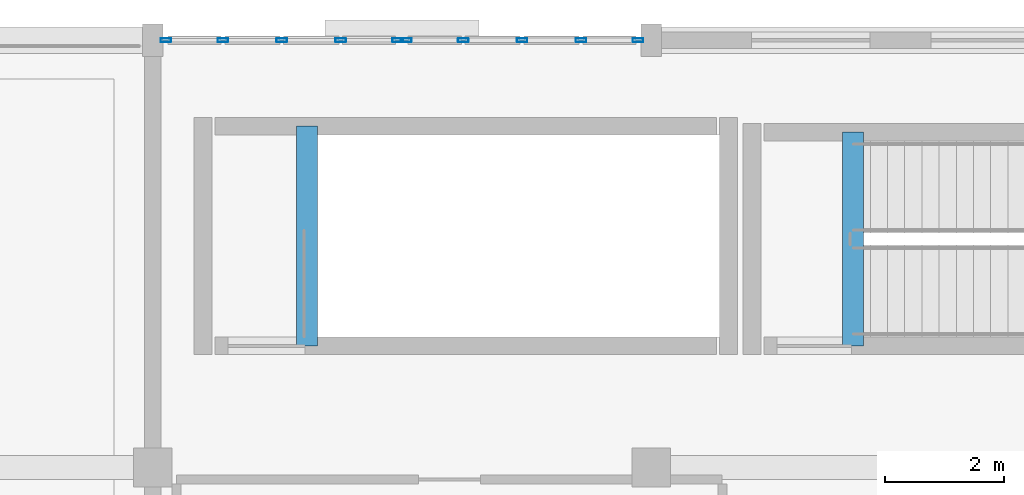
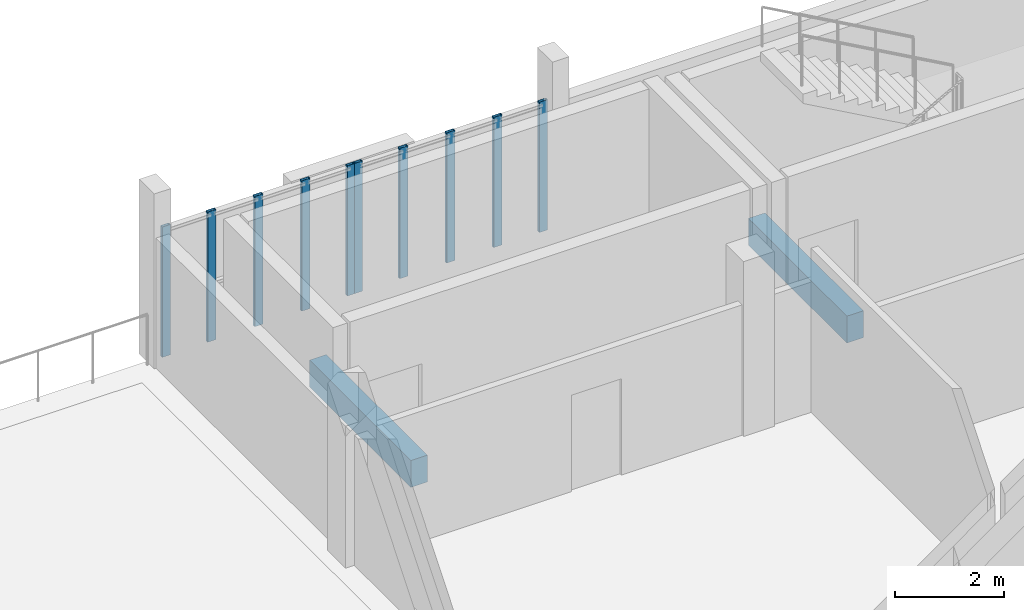
# One storey, part 2 of 25: 10 members, 2 beams, 2 elements without a shape of their own.
"""IFC4 building model written with IfcOpenShell, lengths in metres."""

from ifc_helpers import new_model, si_unit, direction, frame, origin, origin_2d, place, context, subcontext, project, spatial, rectangle, hollow_rectangle, extrude, material, layer, layer_set, material_profile, profile_set, type_object, element, aggregate, save


model = new_model("IFC4")

# Units and contexts
model_context = context("Model", 3, precision=1e-05, world=origin(), true_north=direction((0.0, 1.0)))
body_context = subcontext(model_context, "Body", "Model", "MODEL_VIEW")
ifc_project = project(units=[si_unit("LENGTHUNIT", "METRE"), si_unit("AREAUNIT", "SQUARE_METRE"), si_unit("VOLUMEUNIT", "CUBIC_METRE"), si_unit("PLANEANGLEUNIT", "RADIAN"), si_unit("MASSUNIT", "GRAM", prefix="KILO")], contexts=[model_context])

# Site, building, storey
site_placement = place(None, origin())
site = spatial("IfcSite", under=ifc_project, at=site_placement, CompositionType="ELEMENT")
building_placement = place(site_placement, origin())
building = spatial("IfcBuilding", under=site, at=building_placement, Name="Kisaragi Civic Commons", CompositionType="ELEMENT")
storey_placement = place(building_placement, frame((0.0, 0.0, 13.5)))
storey = spatial("IfcBuildingStorey", under=building, at=storey_placement, Name="L03", CompositionType="ELEMENT", Elevation=13.5)

# Curtain wall, members
ifc_material_1 = material(Name="Thermally broken anodized aluminium and low-E double glazing", Category="aluminium")
ifc_layer = layer(ifc_material_1, 0.179931640625, Name="Thermally broken anodized aluminium and low-E double glazing", Category="aluminium")
ifc_layer_set = layer_set([ifc_layer], Name="Thermally broken anodized aluminium and low-E double glazing")
curtain_wall_type = type_object("IfcCurtainWallType", Name="CW-01", PredefinedType="NOTDEFINED", material=ifc_layer_set)
curtain_wall_1_placement = place(storey_placement, origin())
curtain_wall_1 = element("IfcCurtainWall", 1, at=curtain_wall_1_placement, inside=storey, type_object=curtain_wall_type, Name="L03 curtain wall CW-01 CW-V4-L03-095", PredefinedType="NOTDEFINED")
ifc_material_profile_1 = material_profile(ifc_material_1, hollow_rectangle(XDim=0.06494140625, YDim=0.179931640625, WallThickness=0.00439453125, InnerFilletRadius=0.00439453125, OuterFilletRadius=0.009033203125, at=origin_2d()), Name="CWM-65x180x4.5", Category="aluminium")
ifc_profile_set_1 = profile_set([ifc_material_profile_1], Name="Thermally broken anodized aluminium and low-E double glazing")
member_type = type_object("IfcMemberType", Name="CWM-02", PredefinedType="MULLION", material=ifc_profile_set_1)
member_1_placement = place(storey_placement, frame((89.0224609375, 118.800048828125, 0.0), z_axis=(0.0, 0.0, 1.0), x_axis=(0.0, 1.0, 0.0)))
member_1 = element("IfcMember", 2, at=member_1_placement, type_object=member_type, Name="CW-01 mullion 1", PredefinedType="MULLION", context=body_context, shape_type="SweptSolid", body=[
    extrude(hollow_rectangle(XDim=0.06494140625, YDim=0.179931640625, WallThickness=0.00439453125, InnerFilletRadius=0.00439453125, OuterFilletRadius=0.009033203125, at=origin_2d()), origin(), (0.0, 0.0, 1.0), 2.905029296875),
])
member_2_placement = place(storey_placement, frame((89.982421875, 118.800048828125, 0.0), z_axis=(0.0, 0.0, 1.0), x_axis=(0.0, 1.0, 0.0)))
member_2 = element("IfcMember", 3, at=member_2_placement, type_object=member_type, Name="CW-01 mullion 2", PredefinedType="MULLION", context=body_context, shape_type="SweptSolid", body=[
    extrude(hollow_rectangle(XDim=0.06494140625, YDim=0.179931640625, WallThickness=0.00439453125, InnerFilletRadius=0.00439453125, OuterFilletRadius=0.009033203125, at=origin_2d()), origin(), (0.0, 0.0, 1.0), 2.905029296875),
])
member_3_placement = place(storey_placement, frame((90.97509765625, 118.800048828125, 0.0), z_axis=(0.0, 0.0, 1.0), x_axis=(0.0, 1.0, 0.0)))
member_3 = element("IfcMember", 4, at=member_3_placement, type_object=member_type, Name="CW-01 mullion 3", PredefinedType="MULLION", context=body_context, shape_type="SweptSolid", body=[
    extrude(hollow_rectangle(XDim=0.06494140625, YDim=0.179931640625, WallThickness=0.00439453125, InnerFilletRadius=0.00439453125, OuterFilletRadius=0.009033203125, at=origin_2d()), origin(), (0.0, 0.0, 1.0), 2.905029296875),
])
member_4_placement = place(storey_placement, frame((91.967529296875, 118.800048828125, 0.0), z_axis=(0.0, 0.0, 1.0), x_axis=(0.0, 1.0, 0.0)))
member_4 = element("IfcMember", 5, at=member_4_placement, type_object=member_type, Name="CW-01 mullion 4", PredefinedType="MULLION", context=body_context, shape_type="SweptSolid", body=[
    extrude(hollow_rectangle(XDim=0.06494140625, YDim=0.179931640625, WallThickness=0.00439453125, InnerFilletRadius=0.00439453125, OuterFilletRadius=0.009033203125, at=origin_2d()), origin(), (0.0, 0.0, 1.0), 2.905029296875),
])
member_5_placement = place(storey_placement, frame((92.927490234375, 118.800048828125, 0.0), z_axis=(0.0, 0.0, 1.0), x_axis=(0.0, 1.0, 0.0)))
member_5 = element("IfcMember", 6, at=member_5_placement, type_object=member_type, Name="CW-01 mullion 5", PredefinedType="MULLION", context=body_context, shape_type="SweptSolid", body=[
    extrude(hollow_rectangle(XDim=0.06494140625, YDim=0.179931640625, WallThickness=0.00439453125, InnerFilletRadius=0.00439453125, OuterFilletRadius=0.009033203125, at=origin_2d()), origin(), (0.0, 0.0, 1.0), 2.905029296875),
])
aggregate(curtain_wall_1, [member_1, member_2, member_3, member_4, member_5])

curtain_wall_2_placement = place(storey_placement, origin())
curtain_wall_2 = element("IfcCurtainWall", 7, at=curtain_wall_2_placement, inside=storey, type_object=curtain_wall_type, Name="L03 curtain wall CW-01 CW-V4-L03-096", PredefinedType="NOTDEFINED")
member_6_placement = place(storey_placement, frame((93.072509765625, 118.800048828125, 0.0), z_axis=(0.0, 0.0, 1.0), x_axis=(0.0, 1.0, 0.0)))
member_6 = element("IfcMember", 8, at=member_6_placement, type_object=member_type, Name="CW-01 mullion 1", PredefinedType="MULLION", context=body_context, shape_type="SweptSolid", body=[
    extrude(hollow_rectangle(XDim=0.06494140625, YDim=0.179931640625, WallThickness=0.00439453125, InnerFilletRadius=0.00439453125, OuterFilletRadius=0.009033203125, at=origin_2d()), origin(), (0.0, 0.0, 1.0), 2.905029296875),
])
member_7_placement = place(storey_placement, frame((94.032470703125, 118.800048828125, 0.0), z_axis=(0.0, 0.0, 1.0), x_axis=(0.0, 1.0, 0.0)))
member_7 = element("IfcMember", 9, at=member_7_placement, type_object=member_type, Name="CW-01 mullion 2", PredefinedType="MULLION", context=body_context, shape_type="SweptSolid", body=[
    extrude(hollow_rectangle(XDim=0.06494140625, YDim=0.179931640625, WallThickness=0.00439453125, InnerFilletRadius=0.00439453125, OuterFilletRadius=0.009033203125, at=origin_2d()), origin(), (0.0, 0.0, 1.0), 2.905029296875),
])
member_8_placement = place(storey_placement, frame((95.02490234375, 118.800048828125, 0.0), z_axis=(0.0, 0.0, 1.0), x_axis=(0.0, 1.0, 0.0)))
member_8 = element("IfcMember", 10, at=member_8_placement, type_object=member_type, Name="CW-01 mullion 3", PredefinedType="MULLION", context=body_context, shape_type="SweptSolid", body=[
    extrude(hollow_rectangle(XDim=0.06494140625, YDim=0.179931640625, WallThickness=0.00439453125, InnerFilletRadius=0.00439453125, OuterFilletRadius=0.009033203125, at=origin_2d()), origin(), (0.0, 0.0, 1.0), 2.905029296875),
])
member_9_placement = place(storey_placement, frame((96.017578125, 118.800048828125, 0.0), z_axis=(0.0, 0.0, 1.0), x_axis=(0.0, 1.0, 0.0)))
member_9 = element("IfcMember", 11, at=member_9_placement, type_object=member_type, Name="CW-01 mullion 4", PredefinedType="MULLION", context=body_context, shape_type="SweptSolid", body=[
    extrude(hollow_rectangle(XDim=0.06494140625, YDim=0.179931640625, WallThickness=0.00439453125, InnerFilletRadius=0.00439453125, OuterFilletRadius=0.009033203125, at=origin_2d()), origin(), (0.0, 0.0, 1.0), 2.905029296875),
])
member_10_placement = place(storey_placement, frame((96.9775390625, 118.800048828125, 0.0), z_axis=(0.0, 0.0, 1.0), x_axis=(0.0, 1.0, 0.0)))
member_10 = element("IfcMember", 12, at=member_10_placement, type_object=member_type, Name="CW-01 mullion 5", PredefinedType="MULLION", context=body_context, shape_type="SweptSolid", body=[
    extrude(hollow_rectangle(XDim=0.06494140625, YDim=0.179931640625, WallThickness=0.00439453125, InnerFilletRadius=0.00439453125, OuterFilletRadius=0.009033203125, at=origin_2d()), origin(), (0.0, 0.0, 1.0), 2.905029296875),
])
aggregate(curtain_wall_2, [member_6, member_7, member_8, member_9, member_10])

# Beams
ifc_material_2 = material(Name="Concrete Fc30", Category="concrete")
ifc_material_profile_2 = material_profile(ifc_material_2, rectangle(XDim=0.35009765625, YDim=0.60009765625, at=origin_2d()), Name="RC-350x600", Category="concrete")
ifc_profile_set_2 = profile_set([ifc_material_profile_2], Name="Concrete Fc30")
beam_type = type_object("IfcBeamType", Name="G-14", PredefinedType="BEAM", material=ifc_profile_set_2)
beam_1_placement = place(storey_placement, frame((100.60009765625, 113.64990234375, -0.300048828125), z_axis=(0.0, 1.0, 0.0), x_axis=(-1.0, 0.0, 0.0)))
element("IfcBeam", 13, at=beam_1_placement, inside=storey, type_object=beam_type, Name="ST-L1 L03 stair landing trimmer beam", PredefinedType="BEAM", context=body_context, shape_type="SweptSolid", body=[
    extrude(rectangle(XDim=0.35009765625, YDim=0.60009765625, at=origin_2d()), origin(), (0.0, 0.0, 1.0), 3.60009765625),
])
beam_2_placement = place(storey_placement, frame((91.39990234375, 113.64990234375, -0.300048828125), z_axis=(0.0, 1.0, 0.0), x_axis=(-1.0, 0.0, 0.0)))
element("IfcBeam", 14, at=beam_2_placement, inside=storey, type_object=beam_type, Name="ST-L4 L03 stair landing trimmer beam", PredefinedType="BEAM", context=body_context, shape_type="SweptSolid", body=[
    extrude(rectangle(XDim=0.35009765625, YDim=0.60009765625, at=origin_2d()), origin(), (0.0, 0.0, 1.0), 3.7001953125),
])

save(model, "model.ifc")
